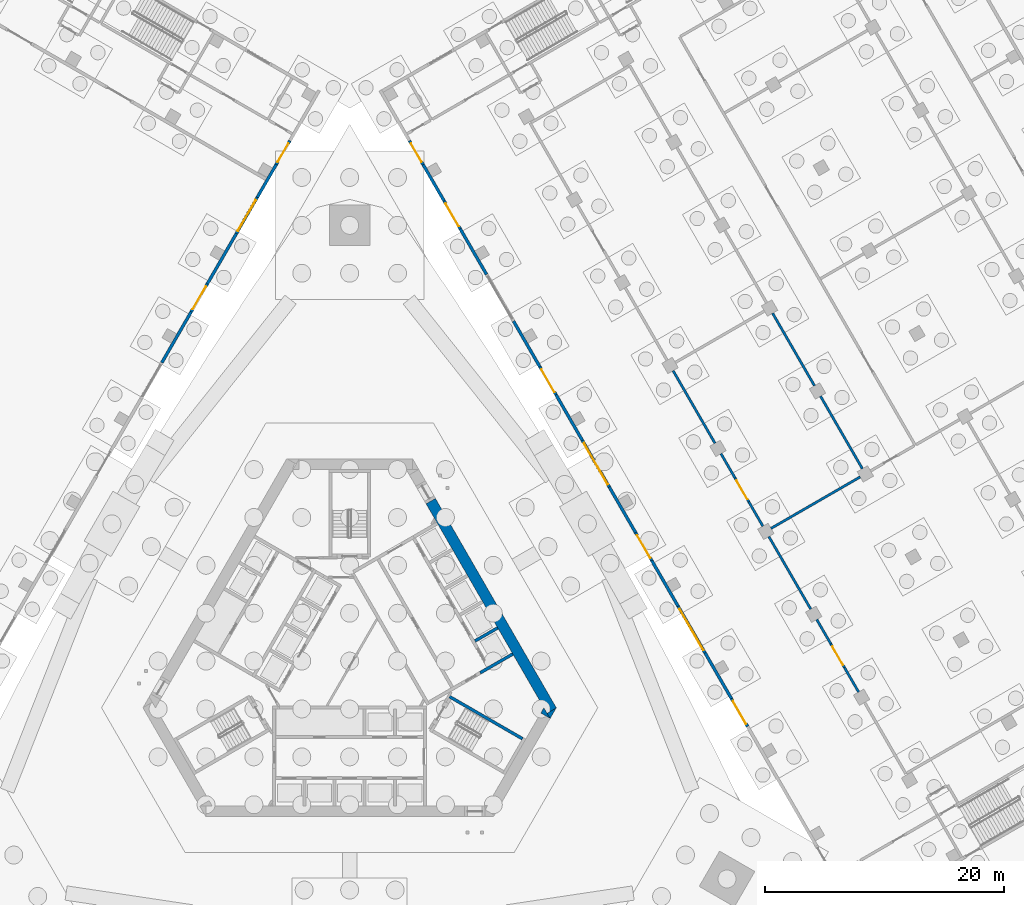
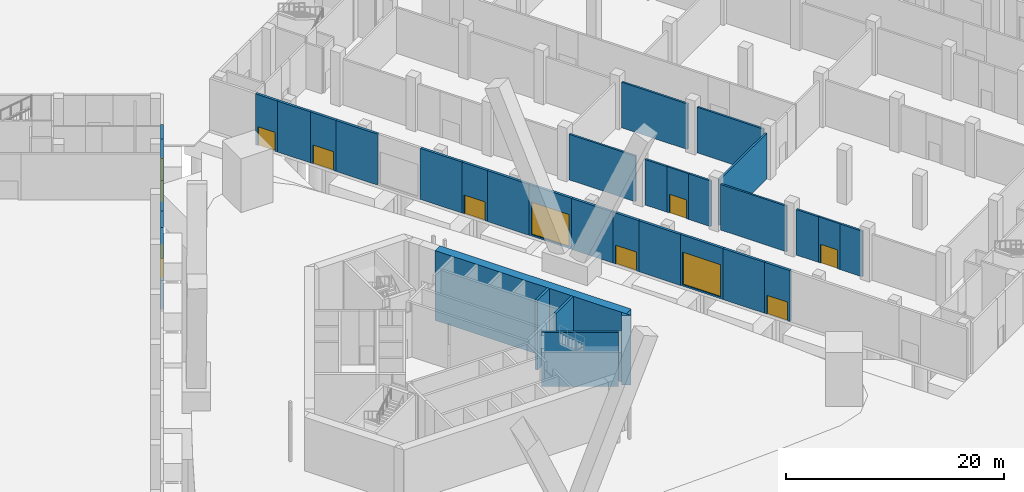
# One storey, part 18 of 38: 37 walls, 9 doors, 3 windows, 12 openings.
"""IFC4 building model written with IfcOpenShell, lengths in metres."""

from ifc_helpers import new_model, si_unit, direction, frame, frame_2d, origin, place, context, subcontext, project, spatial, polyline, rectangle, outline, extrude, material, layer, layer_set, type_object, element, fill, save


model = new_model("IFC4")

# Units and contexts
model_context = context("Model", 3, precision=1e-05, world=origin(), true_north=direction((0.0, 1.0)))
body_context = subcontext(model_context, "Body", "Model", "MODEL_VIEW")
ifc_project = project(units=[si_unit("LENGTHUNIT", "METRE"), si_unit("AREAUNIT", "SQUARE_METRE"), si_unit("VOLUMEUNIT", "CUBIC_METRE"), si_unit("PLANEANGLEUNIT", "RADIAN"), si_unit("MASSUNIT", "GRAM", prefix="KILO")], contexts=[model_context])

# Site, building, storey
site_placement = place(None, origin())
site = spatial("IfcSite", under=ifc_project, at=site_placement, CompositionType="ELEMENT")
building_placement = place(site_placement, origin())
building = spatial("IfcBuilding", under=site, at=building_placement, Name="Mestral Congress Tower", CompositionType="ELEMENT")
storey_placement = place(building_placement, origin())
storey = spatial("IfcBuildingStorey", under=building, at=storey_placement, Name="L00", CompositionType="ELEMENT", Elevation=0.0)

# Walls
ifc_material_1 = material(Name="Concrete C60/75", Category="concrete")
ifc_layer_1 = layer(ifc_material_1, 0.89990234375)
ifc_layer_set_1 = layer_set([ifc_layer_1], Name="Concrete C60/75")
wall_type_1 = type_object("IfcWallType", Name="Core wall RC 900", PredefinedType="SOLIDWALL", material=ifc_layer_set_1)
wall_1_placement = place(storey_placement, frame((6.77587890625, 13.36376953125, -1.800048828125), z_axis=(0.0, 0.0, 1.0), x_axis=(0.500004177138, -0.8660229921, 0.0)))
element("IfcWall", 1, at=wall_1_placement, inside=storey, type_object=wall_type_1, Name="L00 core wall", PredefinedType="SOLIDWALL", context=body_context, shape_type="SweptSolid", body=[
    extrude(rectangle(XDim=20.203857421875, YDim=0.89990234375, at=frame_2d((10.10205078125, 0.0))), origin(), (0.0, 0.0, 1.0), 7.800048828125),
])
placement = place(storey_placement, frame((0.0, 0.0, -1.800048828125)))
element("IfcWall", 2, at=placement, inside=storey, type_object=wall_type_1, Name="L00 core wall", PredefinedType="SOLIDWALL", context=body_context, shape_type="SweptSolid", body=[
    extrude(outline(polyline([(16.7431640625, -4.800048828125), (16.4892578125, -4.360107421875), (17.251220703125, -3.920166015625), (16.7431640625, -4.800048828125)])), origin(), (0.0, 0.0, 1.0), 7.800048828125),
])
element("IfcWall", 3, at=placement, inside=storey, type_object=wall_type_1, Name="L00 core wall", PredefinedType="SOLIDWALL", context=body_context, shape_type="SweptSolid", body=[
    extrude(outline(polyline([(16.223388671875, -3.900146484375), (16.731689453125, -4.780029296875), (15.969482421875, -4.340087890625), (16.223388671875, -3.900146484375)])), origin(), (0.0, 0.0, 1.0), 7.800048828125),
])

# Wall, opening, door
ifc_material_2 = material(Name="Precast concrete C40/50 with limestone facing", Category="masonry")
ifc_layer_2 = layer(ifc_material_2, 0.25)
ifc_layer_set_2 = layer_set([ifc_layer_2], Name="Precast concrete C40/50 with limestone facing")
wall_type_2 = type_object("IfcWallType", Name="Podium external wall 250", PredefinedType="SOLIDWALL", material=ifc_layer_set_2)
wall_4_placement = place(storey_placement, frame((33.237548828125, -5.463134765625, 0.0), z_axis=(0.0, 0.0, 1.0), x_axis=(-0.499980770555, 0.866036505625, 0.0)))
wall_4 = element("IfcWall", 4, at=wall_4_placement, inside=storey, type_object=wall_type_2, Name="L00 external wall", PredefinedType="SOLIDWALL", context=body_context, shape_type="SweptSolid", body=[
    extrude(rectangle(XDim=2.69970703125, YDim=0.25, at=frame_2d((1.349853515625, 0.0))), origin(), (0.0, 0.0, 1.0), 5.699951171875),
])
opening_1_placement = place(wall_4_placement, frame((0.25, 0.0, 0.0)))
opening_1 = element("IfcOpeningElement", 5, at=opening_1_placement, cuts=wall_4, Name="Opening P00-002", PredefinedType="OPENING", context=body_context, shape_type="SweptSolid", body=[
    extrude(rectangle(XDim=2.199951171875, YDim=2.10009765625, at=frame_2d((1.10009765625, 1.050048828125))), frame((0.0, 0.135009765625, 0.0), z_axis=(0.0, -1.0, 0.0), x_axis=(1.0, 0.0, 0.0)), (0.0, 0.0, 1.0), 0.27001953125),
])
ifc_material_3 = material(Name="Steel and glass door set", Category="steel")
door_type_1 = type_object("IfcDoorType", Name="Podium entrance door 2200x2100", OperationType="DOUBLE_DOOR_SINGLE_SWING", PredefinedType="DOOR", material=ifc_material_3)
door_1_placement = place(opening_1_placement, origin())
door_1 = element("IfcDoor", 6, at=door_1_placement, inside=storey, type_object=door_type_1, Name="Door P00-002", OperationType="DOUBLE_DOOR_SINGLE_SWING", OverallHeight=2.10009765625, OverallWidth=2.199951171875, PredefinedType="DOOR", context=body_context, shape_type="SweptSolid", body=[
    extrude(rectangle(XDim=2.199951171875, YDim=2.10009765625, at=frame_2d((1.10009765625, 1.050048828125))), frame((0.0, 0.02490234375, 0.0), z_axis=(0.0, -1.0, 0.0), x_axis=(1.0, 0.0, 0.0)), (0.0, 0.0, 1.0), 0.050048828125),
])
fill(opening_1, door_1)

# Wall
wall_5_placement = place(storey_placement, frame((31.8876953125, -3.125, 0.0), z_axis=(0.0, 0.0, 1.0), x_axis=(-0.500005810984, 0.866022048785, 0.0)))
element("IfcWall", 7, at=wall_5_placement, inside=storey, type_object=wall_type_2, Name="L00 external wall", PredefinedType="SOLIDWALL", context=body_context, shape_type="SweptSolid", body=[
    extrude(rectangle(XDim=4.400390625, YDim=0.25, at=frame_2d((2.2001953125, 0.0))), origin(), (0.0, 0.0, 1.0), 5.699951171875),
])

# Wall, opening, window
wall_6_placement = place(storey_placement, frame((29.6875, 0.685791015625, 0.0), z_axis=(0.0, 0.0, 1.0), x_axis=(-0.500013631625, 0.866017533419, 0.0)))
wall_6 = element("IfcWall", 8, at=wall_6_placement, inside=storey, type_object=wall_type_2, Name="L00 external wall", PredefinedType="SOLIDWALL", context=body_context, shape_type="SweptSolid", body=[
    extrude(rectangle(XDim=4.499755859375, YDim=0.25, at=frame_2d((2.25, 0.0))), origin(), (0.0, 0.0, 1.0), 5.699951171875),
])
opening_2_placement = place(wall_6_placement, frame((0.25, 0.0, 0.199951171875)))
opening_2 = element("IfcOpeningElement", 9, at=opening_2_placement, cuts=wall_6, Name="Opening PW-4000x3600", PredefinedType="OPENING", context=body_context, shape_type="SweptSolid", body=[
    extrude(rectangle(XDim=4.0, YDim=3.60009765625, at=frame_2d((2.0, 1.800048828125))), frame((0.0, 0.135009765625, 0.0), z_axis=(0.0, -1.0, 0.0), x_axis=(1.0, 0.0, 0.0)), (0.0, 0.0, 1.0), 0.27001953125),
])
ifc_material_4 = material(Name="Aluminium frame, clear double glazing", Category="aluminium")
window_type_1 = type_object("IfcWindowType", Name="Podium window 4000x3600 sill 200", PartitioningType="SINGLE_PANEL", PredefinedType="WINDOW", material=ifc_material_4)
window_1_placement = place(opening_2_placement, origin())
window_1 = element("IfcWindow", 10, at=window_1_placement, inside=storey, type_object=window_type_1, Name="Window", OverallHeight=3.60009765625, OverallWidth=4.0, PartitioningType="SINGLE_PANEL", PredefinedType="WINDOW", context=body_context, shape_type="SweptSolid", body=[
    extrude(rectangle(XDim=4.0, YDim=3.60009765625, at=frame_2d((2.0, 1.800048828125))), frame((0.0, 0.030029296875, 0.0), z_axis=(0.0, -1.0, 0.0), x_axis=(1.0, 0.0, 0.0)), (0.0, 0.0, 1.0), 0.06005859375),
])
fill(opening_2, window_1)

# Wall
wall_7_placement = place(storey_placement, frame((27.4375, 4.582763671875, 0.0), z_axis=(0.0, 0.0, 1.0), x_axis=(-0.499988222896, 0.866032203192, 0.0)))
element("IfcWall", 11, at=wall_7_placement, inside=storey, type_object=wall_type_2, Name="L00 external wall", PredefinedType="SOLIDWALL", context=body_context, shape_type="SweptSolid", body=[
    extrude(rectangle(XDim=4.39990234375, YDim=0.25, at=frame_2d((2.199951171875, 0.0))), origin(), (0.0, 0.0, 1.0), 5.699951171875),
])

# Wall, opening, door
wall_8_placement = place(storey_placement, frame((25.237548828125, 8.393310546875, 0.0), z_axis=(0.0, 0.0, 1.0), x_axis=(-0.499980770555, 0.866036505625, 0.0)))
wall_8 = element("IfcWall", 12, at=wall_8_placement, inside=storey, type_object=wall_type_2, Name="L00 external wall", PredefinedType="SOLIDWALL", context=body_context, shape_type="SweptSolid", body=[
    extrude(rectangle(XDim=2.69970703125, YDim=0.25, at=frame_2d((1.349853515625, 0.0))), origin(), (0.0, 0.0, 1.0), 5.699951171875),
])
opening_3_placement = place(wall_8_placement, frame((0.25, 0.0, 0.0)))
opening_3 = element("IfcOpeningElement", 13, at=opening_3_placement, cuts=wall_8, Name="Opening P00-003", PredefinedType="OPENING", context=body_context, shape_type="SweptSolid", body=[
    extrude(rectangle(XDim=2.199951171875, YDim=2.10009765625, at=frame_2d((1.10009765625, 1.050048828125))), frame((0.0, 0.135009765625, 0.0), z_axis=(0.0, -1.0, 0.0), x_axis=(1.0, 0.0, 0.0)), (0.0, 0.0, 1.0), 0.27001953125),
])
door_2_placement = place(opening_3_placement, origin())
door_2 = element("IfcDoor", 14, at=door_2_placement, inside=storey, type_object=door_type_1, Name="Door P00-003", OperationType="DOUBLE_DOOR_SINGLE_SWING", OverallHeight=2.10009765625, OverallWidth=2.199951171875, PredefinedType="DOOR", context=body_context, shape_type="SweptSolid", body=[
    extrude(rectangle(XDim=2.199951171875, YDim=2.10009765625, at=frame_2d((1.10009765625, 1.050048828125))), frame((0.0, 0.02490234375, 0.0), z_axis=(0.0, -1.0, 0.0), x_axis=(1.0, 0.0, 0.0)), (0.0, 0.0, 1.0), 0.050048828125),
])
fill(opening_3, door_2)

# Wall
wall_9_placement = place(storey_placement, frame((23.8876953125, 10.7314453125, 0.0), z_axis=(0.0, 0.0, 1.0), x_axis=(-0.50002983664, 0.866008176907, 0.0)))
element("IfcWall", 15, at=wall_9_placement, inside=storey, type_object=wall_type_2, Name="L00 external wall", PredefinedType="SOLIDWALL", context=body_context, shape_type="SweptSolid", body=[
    extrude(rectangle(XDim=4.400146484375, YDim=0.25, at=frame_2d((2.2001953125, 0.0))), origin(), (0.0, 0.0, 1.0), 5.699951171875),
])

# Wall, opening, window
wall_10_placement = place(storey_placement, frame((21.6875, 14.5419921875, 0.0), z_axis=(0.0, 0.0, 1.0), x_axis=(-0.499990139034, 0.866031096941, 0.0)))
wall_10 = element("IfcWall", 16, at=wall_10_placement, inside=storey, type_object=wall_type_2, Name="L00 external wall", PredefinedType="SOLIDWALL", context=body_context, shape_type="SweptSolid", body=[
    extrude(rectangle(XDim=4.5, YDim=0.25, at=frame_2d((2.25, 0.0))), origin(), (0.0, 0.0, 1.0), 5.699951171875),
])
opening_4_placement = place(wall_10_placement, frame((0.25, 0.0, 0.199951171875)))
opening_4 = element("IfcOpeningElement", 17, at=opening_4_placement, cuts=wall_10, Name="Opening PW-4000x3600", PredefinedType="OPENING", context=body_context, shape_type="SweptSolid", body=[
    extrude(rectangle(XDim=4.0, YDim=3.60009765625, at=frame_2d((2.0, 1.800048828125))), frame((0.0, 0.135009765625, 0.0), z_axis=(0.0, -1.0, 0.0), x_axis=(1.0, 0.0, 0.0)), (0.0, 0.0, 1.0), 0.27001953125),
])
window_2_placement = place(opening_4_placement, origin())
window_2 = element("IfcWindow", 18, at=window_2_placement, inside=storey, type_object=window_type_1, Name="Window", OverallHeight=3.60009765625, OverallWidth=4.0, PartitioningType="SINGLE_PANEL", PredefinedType="WINDOW", context=body_context, shape_type="SweptSolid", body=[
    extrude(rectangle(XDim=4.0, YDim=3.60009765625, at=frame_2d((2.0, 1.800048828125))), frame((0.0, 0.030029296875, 0.0), z_axis=(0.0, -1.0, 0.0), x_axis=(1.0, 0.0, 0.0)), (0.0, 0.0, 1.0), 0.06005859375),
])
fill(opening_4, window_2)

# Wall
wall_11_placement = place(storey_placement, frame((19.4375, 18.439208984375, 0.0), z_axis=(0.0, 0.0, 1.0), x_axis=(-0.499988222896, 0.866032203192, 0.0)))
element("IfcWall", 19, at=wall_11_placement, inside=storey, type_object=wall_type_2, Name="L00 external wall", PredefinedType="SOLIDWALL", context=body_context, shape_type="SweptSolid", body=[
    extrude(rectangle(XDim=4.39990234375, YDim=0.25, at=frame_2d((2.199951171875, 0.0))), origin(), (0.0, 0.0, 1.0), 5.699951171875),
])

# Wall, opening, door
wall_12_placement = place(storey_placement, frame((17.237548828125, 22.249755859375, 0.0), z_axis=(0.0, 0.0, 1.0), x_axis=(-0.499980770555, 0.866036505625, 0.0)))
wall_12 = element("IfcWall", 20, at=wall_12_placement, inside=storey, type_object=wall_type_2, Name="L00 external wall", PredefinedType="SOLIDWALL", context=body_context, shape_type="SweptSolid", body=[
    extrude(rectangle(XDim=2.69970703125, YDim=0.25, at=frame_2d((1.349853515625, 0.0))), origin(), (0.0, 0.0, 1.0), 5.699951171875),
])
opening_5_placement = place(wall_12_placement, frame((0.25, 0.0, 0.0)))
opening_5 = element("IfcOpeningElement", 21, at=opening_5_placement, cuts=wall_12, Name="Opening P00-004", PredefinedType="OPENING", context=body_context, shape_type="SweptSolid", body=[
    extrude(rectangle(XDim=2.199951171875, YDim=2.10009765625, at=frame_2d((1.10009765625, 1.050048828125))), frame((0.0, 0.135009765625, 0.0), z_axis=(0.0, -1.0, 0.0), x_axis=(1.0, 0.0, 0.0)), (0.0, 0.0, 1.0), 0.27001953125),
])
door_3_placement = place(opening_5_placement, origin())
door_3 = element("IfcDoor", 22, at=door_3_placement, inside=storey, type_object=door_type_1, Name="Door P00-004", OperationType="DOUBLE_DOOR_SINGLE_SWING", OverallHeight=2.10009765625, OverallWidth=2.199951171875, PredefinedType="DOOR", context=body_context, shape_type="SweptSolid", body=[
    extrude(rectangle(XDim=2.199951171875, YDim=2.10009765625, at=frame_2d((1.10009765625, 1.050048828125))), frame((0.0, 0.02490234375, 0.0), z_axis=(0.0, -1.0, 0.0), x_axis=(1.0, 0.0, 0.0)), (0.0, 0.0, 1.0), 0.050048828125),
])
fill(opening_5, door_3)

# Walls
wall_13_placement = place(storey_placement, frame((15.8876953125, 24.587890625, 0.0), z_axis=(0.0, 0.0, 1.0), x_axis=(-0.50002983664, 0.866008176907, 0.0)))
element("IfcWall", 23, at=wall_13_placement, inside=storey, type_object=wall_type_2, Name="L00 external wall", PredefinedType="SOLIDWALL", context=body_context, shape_type="SweptSolid", body=[
    extrude(rectangle(XDim=4.400146484375, YDim=0.25, at=frame_2d((2.2001953125, 0.0))), origin(), (0.0, 0.0, 1.0), 5.699951171875),
])
wall_14_placement = place(storey_placement, frame((11.4375, 32.295654296875, 0.0), z_axis=(0.0, 0.0, 1.0), x_axis=(-0.499988222896, 0.866032203192, 0.0)))
element("IfcWall", 24, at=wall_14_placement, inside=storey, type_object=wall_type_2, Name="L00 external wall", PredefinedType="SOLIDWALL", context=body_context, shape_type="SweptSolid", body=[
    extrude(rectangle(XDim=4.39990234375, YDim=0.25, at=frame_2d((2.199951171875, 0.0))), origin(), (0.0, 0.0, 1.0), 5.699951171875),
])

# Wall, opening, door
wall_15_placement = place(storey_placement, frame((9.237548828125, 36.106201171875, 0.0), z_axis=(0.0, 0.0, 1.0), x_axis=(-0.499980770555, 0.866036505625, 0.0)))
wall_15 = element("IfcWall", 25, at=wall_15_placement, inside=storey, type_object=wall_type_2, Name="L00 external wall", PredefinedType="SOLIDWALL", context=body_context, shape_type="SweptSolid", body=[
    extrude(rectangle(XDim=2.69970703125, YDim=0.25, at=frame_2d((1.349853515625, 0.0))), origin(), (0.0, 0.0, 1.0), 5.699951171875),
])
opening_6_placement = place(wall_15_placement, frame((0.25, 0.0, 0.0)))
opening_6 = element("IfcOpeningElement", 26, at=opening_6_placement, cuts=wall_15, Name="Opening P00-005", PredefinedType="OPENING", context=body_context, shape_type="SweptSolid", body=[
    extrude(rectangle(XDim=2.199951171875, YDim=2.10009765625, at=frame_2d((1.10009765625, 1.050048828125))), frame((0.0, 0.135009765625, 0.0), z_axis=(0.0, -1.0, 0.0), x_axis=(1.0, 0.0, 0.0)), (0.0, 0.0, 1.0), 0.27001953125),
])
door_4_placement = place(opening_6_placement, origin())
door_4 = element("IfcDoor", 27, at=door_4_placement, inside=storey, type_object=door_type_1, Name="Door P00-005", OperationType="DOUBLE_DOOR_SINGLE_SWING", OverallHeight=2.10009765625, OverallWidth=2.199951171875, PredefinedType="DOOR", context=body_context, shape_type="SweptSolid", body=[
    extrude(rectangle(XDim=2.199951171875, YDim=2.10009765625, at=frame_2d((1.10009765625, 1.050048828125))), frame((0.0, 0.02490234375, 0.0), z_axis=(0.0, -1.0, 0.0), x_axis=(1.0, 0.0, 0.0)), (0.0, 0.0, 1.0), 0.050048828125),
])
fill(opening_6, door_4)

# Wall
wall_16_placement = place(storey_placement, frame((7.8876953125, 38.4443359375, 0.0), z_axis=(0.0, 0.0, 1.0), x_axis=(-0.499980071345, 0.866036909293, 0.0)))
element("IfcWall", 28, at=wall_16_placement, inside=storey, type_object=wall_type_2, Name="L00 external wall", PredefinedType="SOLIDWALL", context=body_context, shape_type="SweptSolid", body=[
    extrude(rectangle(XDim=3.500244140625, YDim=0.25, at=frame_2d((1.75, 0.0))), origin(), (0.0, 0.0, 1.0), 5.699951171875),
])

# Wall, opening, door
wall_17_placement = place(storey_placement, frame((6.1376953125, 41.4755859375, 0.0), z_axis=(0.0, 0.0, 1.0), x_axis=(-0.500077740698, 0.865980515519, 0.0)))
wall_17 = element("IfcWall", 29, at=wall_17_placement, inside=storey, type_object=wall_type_2, Name="L00 external wall", PredefinedType="SOLIDWALL", context=body_context, shape_type="SweptSolid", body=[
    extrude(rectangle(XDim=2.300048828125, YDim=0.25, at=frame_2d((1.14990234375, 0.0))), origin(), (0.0, 0.0, 1.0), 5.699951171875),
])
opening_7_placement = place(wall_17_placement, frame((0.25, 0.0, 0.0)))
opening_7 = element("IfcOpeningElement", 30, at=opening_7_placement, cuts=wall_17, Name="Opening P00-006", PredefinedType="OPENING", context=body_context, shape_type="SweptSolid", body=[
    extrude(rectangle(XDim=1.800048828125, YDim=2.10009765625, at=frame_2d((0.89990234375, 1.050048828125))), frame((0.0, 0.135009765625, 0.0), z_axis=(0.0, -1.0, 0.0), x_axis=(1.0, 0.0, 0.0)), (0.0, 0.0, 1.0), 0.27001953125),
])
door_type_2 = type_object("IfcDoorType", Name="Podium exit door 1800x2100", OperationType="DOUBLE_DOOR_SINGLE_SWING", PredefinedType="DOOR", material=ifc_material_3)
door_5_placement = place(opening_7_placement, origin())
door_5 = element("IfcDoor", 31, at=door_5_placement, inside=storey, type_object=door_type_2, Name="Door P00-006", OperationType="DOUBLE_DOOR_SINGLE_SWING", OverallHeight=2.10009765625, OverallWidth=1.800048828125, PredefinedType="DOOR", context=body_context, shape_type="SweptSolid", body=[
    extrude(rectangle(XDim=1.800048828125, YDim=2.10009765625, at=frame_2d((0.89990234375, 1.050048828125))), frame((0.0, 0.02490234375, 0.0), z_axis=(0.0, -1.0, 0.0), x_axis=(1.0, 0.0, 0.0)), (0.0, 0.0, 1.0), 0.050048828125),
])
fill(opening_7, door_5)

wall_18_placement = place(storey_placement, frame((-4.987548828125, 43.46728515625, 0.0), z_axis=(0.0, 0.0, 1.0), x_axis=(-0.500031774688, -0.866007057882, 0.0)))
wall_18 = element("IfcWall", 32, at=wall_18_placement, inside=storey, type_object=wall_type_2, Name="L00 external wall", PredefinedType="SOLIDWALL", context=body_context, shape_type="SweptSolid", body=[
    extrude(rectangle(XDim=2.300048828125, YDim=0.25, at=frame_2d((1.14990234375, 0.0))), origin(), (0.0, 0.0, 1.0), 5.699951171875),
])
opening_8_placement = place(wall_18_placement, frame((0.25, 0.0, 0.0)))
opening_8 = element("IfcOpeningElement", 33, at=opening_8_placement, cuts=wall_18, Name="Opening P00-301", PredefinedType="OPENING", context=body_context, shape_type="SweptSolid", body=[
    extrude(rectangle(XDim=1.800048828125, YDim=2.10009765625, at=frame_2d((0.89990234375, 1.050048828125))), frame((0.0, 0.135009765625, 0.0), z_axis=(0.0, -1.0, 0.0), x_axis=(1.0, 0.0, 0.0)), (0.0, 0.0, 1.0), 0.27001953125),
])
door_6_placement = place(opening_8_placement, origin())
door_6 = element("IfcDoor", 34, at=door_6_placement, inside=storey, type_object=door_type_2, Name="Door P00-301", OperationType="DOUBLE_DOOR_SINGLE_SWING", OverallHeight=2.10009765625, OverallWidth=1.800048828125, PredefinedType="DOOR", context=body_context, shape_type="SweptSolid", body=[
    extrude(rectangle(XDim=1.800048828125, YDim=2.10009765625, at=frame_2d((0.89990234375, 1.050048828125))), frame((0.0, 0.02490234375, 0.0), z_axis=(0.0, -1.0, 0.0), x_axis=(1.0, 0.0, 0.0)), (0.0, 0.0, 1.0), 0.050048828125),
])
fill(opening_8, door_6)

# Wall
wall_19_placement = place(storey_placement, frame((-6.1376953125, 41.475341796875, 0.0), z_axis=(0.0, 0.0, 1.0), x_axis=(-0.499967533462, -0.866044147538, 0.0)))
element("IfcWall", 35, at=wall_19_placement, inside=storey, type_object=wall_type_2, Name="L00 external wall", PredefinedType="SOLIDWALL", context=body_context, shape_type="SweptSolid", body=[
    extrude(rectangle(XDim=3.161865234375, YDim=0.25, at=frame_2d((1.5810546875, 0.0))), origin(), (0.0, 0.0, 1.0), 5.699951171875),
])

# Wall, opening, window
wall_20_placement = place(storey_placement, frame((-7.718505859375, 38.737060546875, 0.0), z_axis=(0.0, 0.0, 1.0), x_axis=(-0.500010275428, -0.866019471182, 0.0)))
wall_20 = element("IfcWall", 36, at=wall_20_placement, inside=storey, type_object=wall_type_2, Name="L00 external wall", PredefinedType="SOLIDWALL", context=body_context, shape_type="SweptSolid", body=[
    extrude(rectangle(XDim=3.5, YDim=0.25, at=frame_2d((1.75, 0.0))), origin(), (0.0, 0.0, 1.0), 5.699951171875),
])
opening_9_placement = place(wall_20_placement, frame((0.25, 0.0, 3.199951171875)))
opening_9 = element("IfcOpeningElement", 37, at=opening_9_placement, cuts=wall_20, Name="Opening PW-3000x2000", PredefinedType="OPENING", context=body_context, shape_type="SweptSolid", body=[
    extrude(rectangle(XDim=3.0, YDim=2.0, at=frame_2d((1.5, 1.0))), frame((0.0, 0.135009765625, 0.0), z_axis=(0.0, -1.0, 0.0), x_axis=(1.0, 0.0, 0.0)), (0.0, 0.0, 1.0), 0.27001953125),
])
window_type_2 = type_object("IfcWindowType", Name="Podium window 3000x2000 sill 3200", PartitioningType="SINGLE_PANEL", PredefinedType="WINDOW", material=ifc_material_4)
window_3_placement = place(opening_9_placement, origin())
window_3 = element("IfcWindow", 38, at=window_3_placement, inside=storey, type_object=window_type_2, Name="Window", OverallHeight=2.0, OverallWidth=3.0, PartitioningType="SINGLE_PANEL", PredefinedType="WINDOW", context=body_context, shape_type="SweptSolid", body=[
    extrude(rectangle(XDim=3.0, YDim=2.0, at=frame_2d((1.5, 1.0))), frame((0.0, 0.030029296875, 0.0), z_axis=(0.0, -1.0, 0.0), x_axis=(1.0, 0.0, 0.0)), (0.0, 0.0, 1.0), 0.06005859375),
])
fill(opening_9, window_3)

# Wall
wall_21_placement = place(storey_placement, frame((-9.468505859375, 35.7060546875, 0.0), z_axis=(0.0, 0.0, 1.0), x_axis=(-0.500019478386, -0.866014157641, 0.0)))
element("IfcWall", 39, at=wall_21_placement, inside=storey, type_object=wall_type_2, Name="L00 external wall", PredefinedType="SOLIDWALL", context=body_context, shape_type="SweptSolid", body=[
    extrude(rectangle(XDim=4.838134765625, YDim=0.25, at=frame_2d((2.4189453125, 0.0))), origin(), (0.0, 0.0, 1.0), 5.699951171875),
])

# Wall, opening, door
wall_22_placement = place(storey_placement, frame((-11.8876953125, 31.51611328125, 0.0), z_axis=(0.0, 0.0, 1.0), x_axis=(-0.499980770555, -0.866036505625, 0.0)))
wall_22 = element("IfcWall", 40, at=wall_22_placement, inside=storey, type_object=wall_type_2, Name="L00 external wall", PredefinedType="SOLIDWALL", context=body_context, shape_type="SweptSolid", body=[
    extrude(rectangle(XDim=2.69970703125, YDim=0.25, at=frame_2d((1.349853515625, 0.0))), origin(), (0.0, 0.0, 1.0), 5.699951171875),
])
opening_10_placement = place(wall_22_placement, frame((0.25, 0.0, 0.0)))
opening_10 = element("IfcOpeningElement", 41, at=opening_10_placement, cuts=wall_22, Name="Opening P00-302", PredefinedType="OPENING", context=body_context, shape_type="SweptSolid", body=[
    extrude(rectangle(XDim=2.199951171875, YDim=2.10009765625, at=frame_2d((1.10009765625, 1.050048828125))), frame((0.0, 0.135009765625, 0.0), z_axis=(0.0, -1.0, 0.0), x_axis=(1.0, 0.0, 0.0)), (0.0, 0.0, 1.0), 0.27001953125),
])
door_type_3 = type_object("IfcDoorType", Name="Podium exit door 2200x2100", OperationType="DOUBLE_DOOR_SINGLE_SWING", PredefinedType="DOOR", material=ifc_material_3)
door_7_placement = place(opening_10_placement, origin())
door_7 = element("IfcDoor", 42, at=door_7_placement, inside=storey, type_object=door_type_3, Name="Door P00-302", OperationType="DOUBLE_DOOR_SINGLE_SWING", OverallHeight=2.10009765625, OverallWidth=2.199951171875, PredefinedType="DOOR", context=body_context, shape_type="SweptSolid", body=[
    extrude(rectangle(XDim=2.199951171875, YDim=2.10009765625, at=frame_2d((1.10009765625, 1.050048828125))), frame((0.0, 0.02490234375, 0.0), z_axis=(0.0, -1.0, 0.0), x_axis=(1.0, 0.0, 0.0)), (0.0, 0.0, 1.0), 0.050048828125),
])
fill(opening_10, door_7)

# Walls
wall_23_placement = place(storey_placement, frame((-13.237548828125, 29.177978515625, 0.0), z_axis=(0.0, 0.0, 1.0), x_axis=(-0.49998122708, -0.866036242063, 0.0)))
element("IfcWall", 43, at=wall_23_placement, inside=storey, type_object=wall_type_2, Name="L00 external wall", PredefinedType="SOLIDWALL", context=body_context, shape_type="SweptSolid", body=[
    extrude(rectangle(XDim=4.900146484375, YDim=0.25, at=frame_2d((2.4501953125, 0.0))), origin(), (0.0, 0.0, 1.0), 5.699951171875),
])
ifc_material_5 = material(Name="Fire-rated board partition")
ifc_layer_3 = layer(ifc_material_5, 0.199951171875)
ifc_layer_set_3 = layer_set([ifc_layer_3], Name="Fire-rated board partition")
wall_type_3 = type_object("IfcWallType", Name="Podium vestibule wall 200 EI 120", PredefinedType="PARTITIONING", material=ifc_layer_set_3)
wall_24_placement = place(storey_placement, frame((42.51806640625, -2.587646484375, 0.0), z_axis=(0.0, 0.0, 1.0), x_axis=(-0.500016218704, 0.866016039709, 0.0)))
element("IfcWall", 44, at=wall_24_placement, inside=storey, type_object=wall_type_3, Name="L00 partition", PredefinedType="PARTITIONING", context=body_context, shape_type="SweptSolid", body=[
    extrude(rectangle(XDim=2.35009765625, YDim=0.199951171875, at=frame_2d((1.175048828125, 0.0))), origin(), (0.0, 0.0, 1.0), 5.10009765625),
])

# Wall, opening, door
wall_25_placement = place(storey_placement, frame((41.343017578125, -0.552490234375, 0.0), z_axis=(0.0, 0.0, 1.0), x_axis=(-0.499952165731, 0.866053019151, 0.0)))
wall_25 = element("IfcWall", 45, at=wall_25_placement, inside=storey, type_object=wall_type_3, Name="L00 partition", PredefinedType="PARTITIONING", context=body_context, shape_type="SweptSolid", body=[
    extrude(rectangle(XDim=2.300048828125, YDim=0.199951171875, at=frame_2d((1.14990234375, 0.0))), origin(), (0.0, 0.0, 1.0), 5.10009765625),
])
opening_11_placement = place(wall_25_placement, frame((0.25, 0.0, 0.0)))
opening_11 = element("IfcOpeningElement", 46, at=opening_11_placement, cuts=wall_25, Name="Opening P00-043", PredefinedType="OPENING", context=body_context, shape_type="SweptSolid", body=[
    extrude(rectangle(XDim=1.800048828125, YDim=2.10009765625, at=frame_2d((0.89990234375, 1.050048828125))), frame((0.0, 0.10986328125, 0.0), z_axis=(0.0, -1.0, 0.0), x_axis=(1.0, 0.0, 0.0)), (0.0, 0.0, 1.0), 0.219970703125),
])
ifc_material_6 = material(Name="Fire-rated steel door set", Category="steel")
door_type_4 = type_object("IfcDoorType", Name="Podium room door 1800x2100 EI2 30-C5", OperationType="DOUBLE_DOOR_SINGLE_SWING", PredefinedType="DOOR", material=ifc_material_6)
door_8_placement = place(opening_11_placement, origin())
door_8 = element("IfcDoor", 47, at=door_8_placement, inside=storey, type_object=door_type_4, Name="Door P00-043", OperationType="DOUBLE_DOOR_SINGLE_SWING", OverallHeight=2.10009765625, OverallWidth=1.800048828125, PredefinedType="DOOR", context=body_context, shape_type="SweptSolid", body=[
    extrude(rectangle(XDim=1.800048828125, YDim=2.10009765625, at=frame_2d((0.89990234375, 1.050048828125))), frame((0.0, 0.02490234375, 0.0), z_axis=(0.0, -1.0, 0.0), x_axis=(1.0, 0.0, 0.0)), (0.0, 0.0, 1.0), 0.050048828125),
])
fill(opening_11, door_8)

# Walls
wall_26_placement = place(storey_placement, frame((40.193115234375, 1.439453125, 0.0), z_axis=(0.0, 0.0, 1.0), x_axis=(-0.500016218704, 0.866016039709, 0.0)))
element("IfcWall", 48, at=wall_26_placement, inside=storey, type_object=wall_type_3, Name="L00 partition", PredefinedType="PARTITIONING", context=body_context, shape_type="SweptSolid", body=[
    extrude(rectangle(XDim=2.35009765625, YDim=0.199951171875, at=frame_2d((1.175048828125, 0.0))), origin(), (0.0, 0.0, 1.0), 5.10009765625),
])
wall_27_placement = place(storey_placement, frame((38.51806640625, 4.340576171875, 0.0), z_axis=(0.0, 0.0, 1.0), x_axis=(-0.499995173006, 0.866028190633, 0.0)))
element("IfcWall", 49, at=wall_27_placement, inside=storey, type_object=wall_type_3, Name="L00 partition", PredefinedType="PARTITIONING", context=body_context, shape_type="SweptSolid", body=[
    extrude(rectangle(XDim=7.0, YDim=0.199951171875, at=frame_2d((3.5, 0.0))), origin(), (0.0, 0.0, 1.0), 5.10009765625),
])
wall_28_placement = place(storey_placement, frame((34.51806640625, 11.268798828125, 0.0), z_axis=(0.0, 0.0, 1.0), x_axis=(-0.500016218704, 0.866016039709, 0.0)))
element("IfcWall", 50, at=wall_28_placement, inside=storey, type_object=wall_type_3, Name="L00 partition", PredefinedType="PARTITIONING", context=body_context, shape_type="SweptSolid", body=[
    extrude(rectangle(XDim=2.35009765625, YDim=0.199951171875, at=frame_2d((1.175048828125, 0.0))), origin(), (0.0, 0.0, 1.0), 5.10009765625),
])

# Wall, opening, door
wall_29_placement = place(storey_placement, frame((33.343017578125, 13.303955078125, 0.0), z_axis=(0.0, 0.0, 1.0), x_axis=(-0.499952165731, 0.866053019151, 0.0)))
wall_29 = element("IfcWall", 51, at=wall_29_placement, inside=storey, type_object=wall_type_3, Name="L00 partition", PredefinedType="PARTITIONING", context=body_context, shape_type="SweptSolid", body=[
    extrude(rectangle(XDim=2.300048828125, YDim=0.199951171875, at=frame_2d((1.14990234375, 0.0))), origin(), (0.0, 0.0, 1.0), 5.10009765625),
])
opening_12_placement = place(wall_29_placement, frame((0.25, 0.0, 0.0)))
opening_12 = element("IfcOpeningElement", 52, at=opening_12_placement, cuts=wall_29, Name="Opening P00-044", PredefinedType="OPENING", context=body_context, shape_type="SweptSolid", body=[
    extrude(rectangle(XDim=1.800048828125, YDim=2.10009765625, at=frame_2d((0.89990234375, 1.050048828125))), frame((0.0, 0.10986328125, 0.0), z_axis=(0.0, -1.0, 0.0), x_axis=(1.0, 0.0, 0.0)), (0.0, 0.0, 1.0), 0.219970703125),
])
door_9_placement = place(opening_12_placement, origin())
door_9 = element("IfcDoor", 53, at=door_9_placement, inside=storey, type_object=door_type_4, Name="Door P00-044", OperationType="DOUBLE_DOOR_SINGLE_SWING", OverallHeight=2.10009765625, OverallWidth=1.800048828125, PredefinedType="DOOR", context=body_context, shape_type="SweptSolid", body=[
    extrude(rectangle(XDim=1.800048828125, YDim=2.10009765625, at=frame_2d((0.89990234375, 1.050048828125))), frame((0.0, 0.02490234375, 0.0), z_axis=(0.0, -1.0, 0.0), x_axis=(1.0, 0.0, 0.0)), (0.0, 0.0, 1.0), 0.050048828125),
])
fill(opening_12, door_9)

# Walls
wall_30_placement = place(storey_placement, frame((32.193115234375, 15.2958984375, 0.0), z_axis=(0.0, 0.0, 1.0), x_axis=(-0.500016218704, 0.866016039709, 0.0)))
element("IfcWall", 54, at=wall_30_placement, inside=storey, type_object=wall_type_3, Name="L00 partition", PredefinedType="PARTITIONING", context=body_context, shape_type="SweptSolid", body=[
    extrude(rectangle(XDim=2.35009765625, YDim=0.199951171875, at=frame_2d((1.175048828125, 0.0))), origin(), (0.0, 0.0, 1.0), 5.10009765625),
])
for number, where, z_axis, x_axis, name in (
    (55, (30.51806640625, 18.197021484375, 0.0), (0.0, 0.0, 1.0), (-0.499995173006, 0.866028190633, 0.0), "L00 partition"),
    (56, (42.83203125, 16.06884765625, 0.0), (0.0, 0.0, 1.0), (-0.499995173006, 0.866028190633, 0.0), "L00 partition"),
):
    element("IfcWall", number, at=place(storey_placement, frame(where, z_axis=z_axis, x_axis=x_axis)), inside=storey, type_object=wall_type_3, Name=name, PredefinedType="PARTITIONING", context=body_context, shape_type="SweptSolid", body=[
        extrude(rectangle(XDim=7.0, YDim=0.199951171875, at=frame_2d((3.5, 0.0))), origin(), (0.0, 0.0, 1.0), 5.10009765625),
    ])
wall_31_placement = place(storey_placement, frame((38.83203125, 22.9970703125, 0.0), z_axis=(0.0, 0.0, 1.0), x_axis=(-0.500010275428, 0.866019471182, 0.0)))
element("IfcWall", 57, at=wall_31_placement, inside=storey, type_object=wall_type_3, Name="L00 partition", PredefinedType="PARTITIONING", context=body_context, shape_type="SweptSolid", body=[
    extrude(rectangle(XDim=6.999755859375, YDim=0.199951171875, at=frame_2d((3.5, 0.0))), origin(), (0.0, 0.0, 1.0), 5.10009765625),
])
wall_32_placement = place(storey_placement, frame((35.201171875, 11.085693359375, 0.0), z_axis=(0.0, 0.0, 1.0), x_axis=(0.866021068297, 0.500007509209, 0.0)))
element("IfcWall", 58, at=wall_32_placement, inside=storey, type_object=wall_type_3, Name="L00 partition", PredefinedType="PARTITIONING", context=body_context, shape_type="SweptSolid", body=[
    extrude(rectangle(XDim=8.599853515625, YDim=0.199951171875, at=frame_2d((4.2998046875, 0.0))), origin(), (0.0, 0.0, 1.0), 5.10009765625),
])
ifc_layer_4 = layer(ifc_material_1, 0.25)
ifc_layer_set_4 = layer_set([ifc_layer_4], Name="Concrete C60/75")
wall_type_4 = type_object("IfcWallType", Name="Shaft wall RC 250", PredefinedType="SOLIDWALL", material=ifc_layer_set_4)
wall_33_placement = place(storey_placement, frame((10.463623046875, 1.676513671875, -1.800048828125), z_axis=(0.0, 0.0, 1.0), x_axis=(0.86605622881, 0.499946605688, 0.0)))
element("IfcWall", 59, at=wall_33_placement, inside=storey, type_object=wall_type_4, Name="L00 core wall", PredefinedType="SOLIDWALL", context=body_context, shape_type="SweptSolid", body=[
    extrude(rectangle(XDim=2.199951171875, YDim=0.25, at=frame_2d((1.10009765625, 0.0))), origin(), (0.0, 0.0, 1.0), 7.800048828125),
])
wall_34_placement = place(storey_placement, frame((13.62890625, 0.593994140625, -1.800048828125), z_axis=(0.0, 0.0, 1.0), x_axis=(-0.86602790099, -0.499995674689, 0.0)))
element("IfcWall", 60, at=wall_34_placement, inside=storey, type_object=wall_type_4, Name="L00 core wall", PredefinedType="SOLIDWALL", context=body_context, shape_type="SweptSolid", body=[
    extrude(rectangle(XDim=3.1455078125, YDim=0.25, at=frame_2d((1.57275390625, 0.0))), origin(), (0.0, 0.0, 1.0), 7.800048828125),
])
ifc_layer_5 = layer(ifc_material_1, 0.25)
ifc_layer_set_5 = layer_set([ifc_layer_5], Name="Concrete C60/75")
wall_type_5 = type_object("IfcWallType", Name="Stair wall RC 250", PredefinedType="SOLIDWALL", material=ifc_layer_set_5)
wall_35_placement = place(storey_placement, frame((8.33447265625, -2.96435546875, 0.0), z_axis=(0.0, 0.0, 1.0), x_axis=(0.866016039709, -0.500016218704, 0.0)))
element("IfcWall", 61, at=wall_35_placement, inside=storey, type_object=wall_type_5, Name="L00 core wall", PredefinedType="SOLIDWALL", context=body_context, shape_type="SweptSolid", body=[
    extrude(rectangle(XDim=7.050048828125, YDim=0.25, at=frame_2d((3.52490234375, 0.0))), origin(), (0.0, 0.0, 1.0), 6.0),
])

save(model, "model.ifc")
